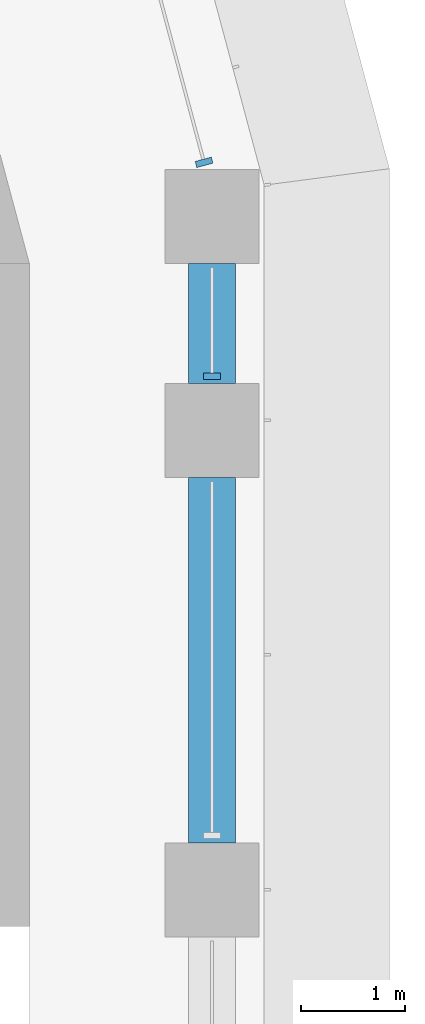
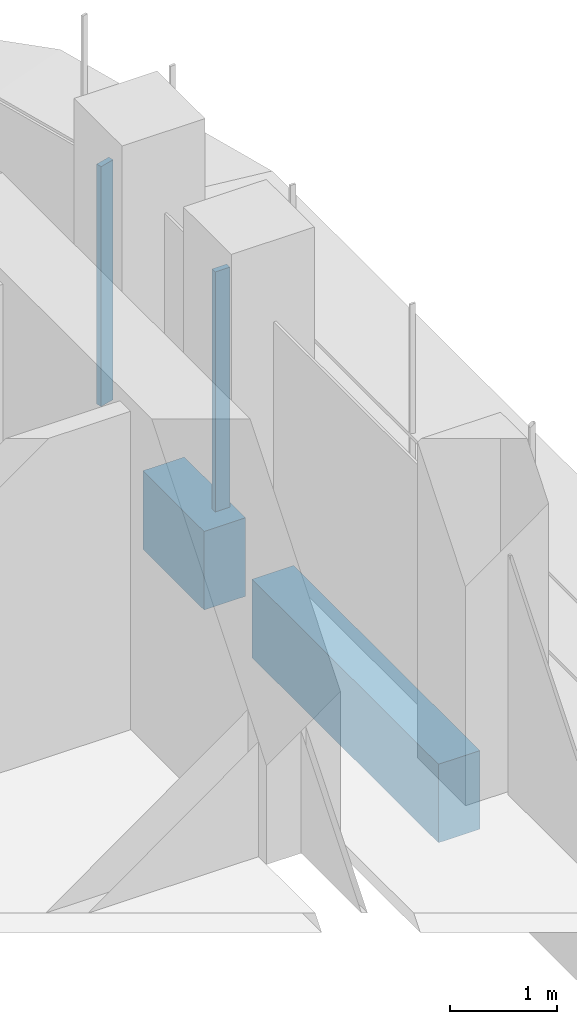
# One storey, part 9 of 22: 2 beams, 2 members, 2 elements without a shape of their own.
"""IFC4 building model written with IfcOpenShell, lengths in metres."""

from ifc_helpers import new_model, si_unit, direction, frame, origin, origin_2d, place, context, subcontext, project, spatial, polyline, rectangle, outline, extrude, source, transform, mapped, material, material_profile, profile_set, type_object, element, aggregate, save


model = new_model("IFC4")

# Units and contexts
model_context = context("Model", 3, precision=1e-05, world=origin(), true_north=direction((0.0, 1.0)))
body_context = subcontext(model_context, "Body", "Model", "MODEL_VIEW")
ifc_project = project(units=[si_unit("LENGTHUNIT", "METRE"), si_unit("AREAUNIT", "SQUARE_METRE"), si_unit("VOLUMEUNIT", "CUBIC_METRE"), si_unit("PLANEANGLEUNIT", "RADIAN"), si_unit("MASSUNIT", "GRAM", prefix="KILO")], contexts=[model_context])

# Site, building, storey
site_placement = place(None, origin())
site = spatial("IfcSite", under=ifc_project, at=site_placement, CompositionType="ELEMENT")
building_placement = place(site_placement, origin())
building = spatial("IfcBuilding", under=site, at=building_placement, Name="Zarbagh Exchange Tower", CompositionType="ELEMENT")
storey_placement = place(building_placement, frame((0.0, 0.0, 132.199951171875)))
storey = spatial("IfcBuildingStorey", under=building, at=storey_placement, Name="L31", CompositionType="ELEMENT", Elevation=132.199951171875)

# Beams
ifc_material_1 = material(Name="Concrete C60/75", Category="concrete")
ifc_material_profile = material_profile(ifc_material_1, rectangle(XDim=0.449951171875, YDim=0.89990234375, at=origin_2d()), Name="RC spandrel beam 450 x 900 C60/75")
ifc_profile_set = profile_set([ifc_material_profile], Name="Concrete C60/75")
beam_type = type_object("IfcBeamType", Name="RC spandrel beam 450 x 900 C60/75", PredefinedType="SPANDREL", material=ifc_profile_set)
beam_1_placement = place(storey_placement, frame((6.25, 26.25, -0.599853515625), z_axis=(0.0, -1.0, 0.0), x_axis=(1.0, 0.0, 0.0)))
element("IfcBeam", 1, at=beam_1_placement, inside=storey, type_object=beam_type, Name="RC spandrel beam", PredefinedType="SPANDREL", context=body_context, shape_type="SweptSolid", body=[
    extrude(rectangle(XDim=0.449951171875, YDim=0.89990234375, at=origin_2d()), origin(), (0.0, 0.0, 1.0), 1.14990234375),
])
beam_2_placement = place(storey_placement, frame((6.25, 24.199951171875, -0.599853515625), z_axis=(0.0, -1.0, 0.0), x_axis=(1.0, 0.0, 0.0)))
element("IfcBeam", 2, at=beam_2_placement, inside=storey, type_object=beam_type, Name="RC spandrel beam", PredefinedType="SPANDREL", context=body_context, shape_type="SweptSolid", body=[
    extrude(rectangle(XDim=0.449951171875, YDim=0.89990234375, at=origin_2d()), origin(), (0.0, 0.0, 1.0), 3.5),
])

# Curtain wall, member
ifc_material_2 = material(Name="Anodised aluminium frame and glazing", Category="aluminium")
curtain_wall_type = type_object("IfcCurtainWallType", Name="CWA Ribbon glazing, lower zones", PredefinedType="NOTDEFINED", material=ifc_material_2)
curtain_wall_1_placement = place(storey_placement, origin())
curtain_wall_1 = element("IfcCurtainWall", 3, at=curtain_wall_1_placement, inside=storey, type_object=curtain_wall_type, Name="CWA49 curtain wall", PredefinedType="NOTDEFINED")
ifc_material_3 = material(Name="Anodised aluminium frame", Category="aluminium")
member_type = type_object("IfcMemberType", Name="MUA Mullion, anodised aluminium frame", PredefinedType="MULLION", material=ifc_material_3)
shared_shape = source(origin(), body_context, "Body", "SweptSolid", [
    extrude(outline(polyline([(0.0, -0.080078125), (0.06005859375, -0.080078125), (0.06005859375, 0.080078125), (0.0, 0.080078125), (0.0, -0.080078125)])), origin(), (0.0, 0.0, 1.0), 2.75),
])
placement = place(storey_placement, origin())
member_1 = element("IfcMember", 4, at=placement, type_object=member_type, Name="CWA49 mullion 4.1", PredefinedType="MULLION", context=body_context, shape_type="MappedRepresentation", body=[
    mapped(shared_shape, transform((6.25, 25.14013671875, 0.0), x_axis=(0.0, 1.0, 0.0), y_axis=(-1.0, 0.0, 0.0), z_axis=(0.0, 0.0, 1.0))),
])
aggregate(curtain_wall_1, [member_1])

curtain_wall_2_placement = place(storey_placement, origin())
curtain_wall_2 = element("IfcCurtainWall", 5, at=curtain_wall_2_placement, inside=storey, type_object=curtain_wall_type, Name="CWA50 curtain wall", PredefinedType="NOTDEFINED")
member_2 = element("IfcMember", 6, at=placement, type_object=member_type, Name="CWA50 mullion 1.1", PredefinedType="MULLION", context=body_context, shape_type="MappedRepresentation", body=[
    mapped(shared_shape, transform((6.181396484375, 27.18994140625, 0.0), x_axis=(-0.258824779902, 0.965924289636, 0.0), y_axis=(-0.965924289636, -0.258824779902, 0.0), z_axis=(0.0, 0.0, 1.0))),
])
aggregate(curtain_wall_2, [member_2])

save(model, "model.ifc")
